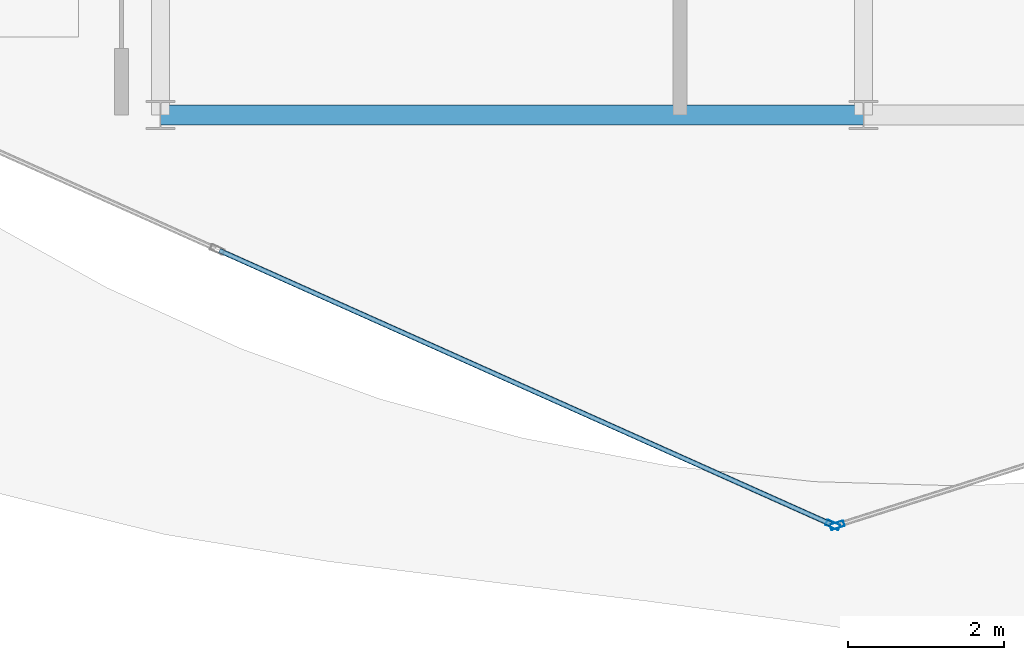
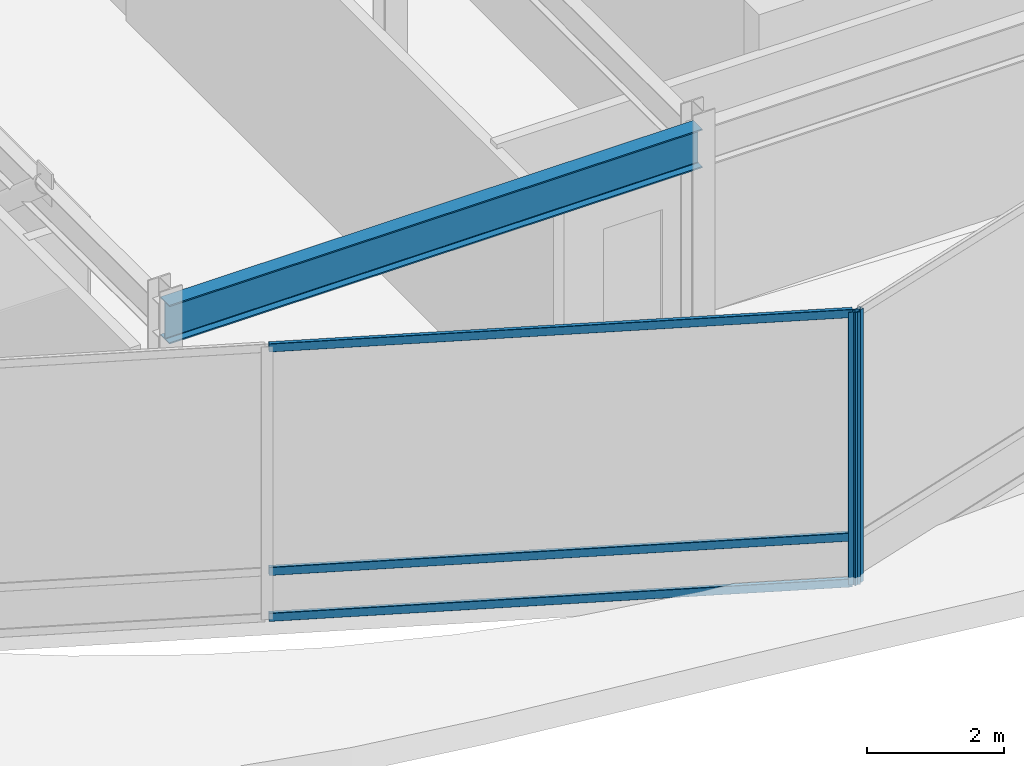
# One storey, part 3 of 21: 5 members, 1 beam, 2 elements without a shape of their own.
"""IFC4 building model written with IfcOpenShell, lengths in metres."""

from ifc_helpers import new_model, si_unit, direction, frame, origin, origin_2d, place, context, subcontext, project, spatial, hollow_rectangle, i_section, extrude, material, layer, layer_set, material_profile, profile_set, type_object, element, aggregate, save


model = new_model("IFC4")

# Units and contexts
model_context = context("Model", 3, precision=1e-05, world=origin(), true_north=direction((0.0, 1.0)))
body_context = subcontext(model_context, "Body", "Model", "MODEL_VIEW")
ifc_project = project(units=[si_unit("LENGTHUNIT", "METRE"), si_unit("AREAUNIT", "SQUARE_METRE"), si_unit("VOLUMEUNIT", "CUBIC_METRE"), si_unit("PLANEANGLEUNIT", "RADIAN"), si_unit("MASSUNIT", "GRAM", prefix="KILO")], contexts=[model_context])

# Site, building, storey
site_placement = place(None, origin())
site = spatial("IfcSite", under=ifc_project, at=site_placement, CompositionType="ELEMENT")
building_placement = place(site_placement, origin())
building = spatial("IfcBuilding", under=site, at=building_placement, Name="Solvaryn Broadcast Tower", CompositionType="ELEMENT")
storey_placement = place(building_placement, frame((0.0, 0.0, 297.39990234375)))
storey = spatial("IfcBuildingStorey", under=building, at=storey_placement, Name="L75", CompositionType="ELEMENT", Elevation=297.39990234375)

# Beam
ifc_material_1 = material(Name="Steel ASTM A992 Grade 50", Category="steel")
ifc_material_profile_1 = material_profile(ifc_material_1, i_section(OverallWidth=0.256103515625, OverallDepth=0.693115234375, WebThickness=0.014404296875, FlangeThickness=0.023681640625, FilletRadius=0.01611328125, at=origin_2d()))
ifc_profile_set_1 = profile_set([ifc_material_profile_1], Name="Steel ASTM A992 Grade 50")
beam_type = type_object("IfcBeamType", Name="BM-SP3-W27X114", PredefinedType="USERDEFINED", material=ifc_profile_set_1)
beam_placement = place(storey_placement, frame((18.0, 9.0, 4.523681640625), z_axis=(1.0, 0.0, 0.0), x_axis=(0.0, 1.0, 0.0)))
element("IfcBeam", 1, at=beam_placement, inside=storey, type_object=beam_type, Name="L75 Spandrel Beam X (18-27 @ Y=9)", ObjectType="SPANDREL", PredefinedType="USERDEFINED", context=body_context, shape_type="SweptSolid", body=[
    extrude(i_section(OverallWidth=0.256103515625, OverallDepth=0.693115234375, WebThickness=0.014404296875, FlangeThickness=0.023681640625, FilletRadius=0.01611328125, at=origin_2d()), origin(), (0.0, 0.0, 1.0), 9.0),
])

# Curtain wall, member
ifc_material_2 = material(Name="Aluminium and Terracotta Unitised Curtain Wall", Category="masonry")
ifc_layer = layer(ifc_material_2, 0.260009765625)
ifc_layer_set = layer_set([ifc_layer], Name="CW-SYS5-DAMPER")
curtain_wall_type = type_object("IfcCurtainWallType", Name="CW-SYS5-DAMPER", PredefinedType="NOTDEFINED", material=ifc_layer_set)
curtain_wall_1_placement = place(storey_placement, origin())
curtain_wall_1 = element("IfcCurtainWall", 2, at=curtain_wall_1_placement, inside=storey, type_object=curtain_wall_type, Name="L75 Curtain Wall DR3", PredefinedType="NOTDEFINED")
ifc_material_3 = material(Name="Anodised Aluminium 6063-T6", Category="aluminium")
ifc_material_profile_2 = material_profile(ifc_material_3, hollow_rectangle(XDim=0.074951171875, YDim=0.179931640625, WallThickness=0.00390625, InnerFilletRadius=0.00390625, OuterFilletRadius=0.008056640625, at=origin_2d()))
ifc_profile_set_2 = profile_set([ifc_material_profile_2], Name="Anodised Aluminium 6063-T6")
member_type_1 = type_object("IfcMemberType", Name="CW-MUL-180", PredefinedType="MULLION", material=ifc_profile_set_2)
member_1_placement = place(storey_placement, frame((26.608642578125, 3.750244140625, 0.0), z_axis=(0.0, 0.0, 1.0), x_axis=(0.408466010682, 0.912773530574, 0.0)))
member_1 = element("IfcMember", 3, at=member_1_placement, type_object=member_type_1, Name="CWS5 mullion 3", PredefinedType="MULLION", context=body_context, shape_type="SweptSolid", body=[
    extrude(hollow_rectangle(XDim=0.074951171875, YDim=0.179931640625, WallThickness=0.00390625, InnerFilletRadius=0.00390625, OuterFilletRadius=0.008056640625, at=origin_2d()), origin(), (0.0, 0.0, 1.0), 4.8701171875),
])

curtain_wall_2_placement = place(storey_placement, origin())
curtain_wall_2 = element("IfcCurtainWall", 4, at=curtain_wall_2_placement, inside=storey, type_object=curtain_wall_type, Name="L75 Curtain Wall DR4", PredefinedType="NOTDEFINED")
member_2_placement = place(storey_placement, frame((26.66455078125, 3.7470703125, 0.0), z_axis=(0.0, 0.0, 1.0), x_axis=(-0.30361564569, 0.952794594701, 0.0)))
member_2 = element("IfcMember", 5, at=member_2_placement, type_object=member_type_1, Name="CWS5 mullion 1", PredefinedType="MULLION", context=body_context, shape_type="SweptSolid", body=[
    extrude(hollow_rectangle(XDim=0.074951171875, YDim=0.179931640625, WallThickness=0.00390625, InnerFilletRadius=0.00390625, OuterFilletRadius=0.008056640625, at=origin_2d()), origin(), (0.0, 0.0, 1.0), 4.8701171875),
])
aggregate(curtain_wall_2, [member_2])

# Member
ifc_material_4 = material(Name="Anodised Aluminium 6063-T6", Category="aluminium")
ifc_material_profile_3 = material_profile(ifc_material_4, hollow_rectangle(XDim=0.06494140625, YDim=0.14990234375, WallThickness=0.00390625, InnerFilletRadius=0.00390625, OuterFilletRadius=0.008056640625, at=origin_2d()))
ifc_profile_set_3 = profile_set([ifc_material_profile_3], Name="Anodised Aluminium 6063-T6")
member_type_2 = type_object("IfcMemberType", Name="CW-TRN-150", PredefinedType="USERDEFINED", material=ifc_profile_set_3)
member_3_placement = place(storey_placement, frame((18.75390625, 7.26513671875, 0.030029296875), z_axis=(0.91277663463, -0.408459074172, 0.0), x_axis=(0.408459074172, 0.91277663463, 0.0)))
member_3 = element("IfcMember", 6, at=member_3_placement, type_object=member_type_2, Name="CWS5 transom 2.1", ObjectType="TRANSOM", PredefinedType="USERDEFINED", context=body_context, shape_type="SweptSolid", body=[
    extrude(hollow_rectangle(XDim=0.06494140625, YDim=0.14990234375, WallThickness=0.00390625, InnerFilletRadius=0.00390625, OuterFilletRadius=0.008056640625, at=origin_2d()), origin(), (0.0, 0.0, 1.0), 8.575439453125),
])

member_4_placement = place(storey_placement, frame((18.75390625, 7.26513671875, 0.85009765625), z_axis=(0.91277663463, -0.408459074172, 0.0), x_axis=(0.408459074172, 0.91277663463, 0.0)))
member_4 = element("IfcMember", 7, at=member_4_placement, type_object=member_type_2, Name="CWS5 transom 2.2", ObjectType="TRANSOM", PredefinedType="USERDEFINED", context=body_context, shape_type="SweptSolid", body=[
    extrude(hollow_rectangle(XDim=0.06494140625, YDim=0.14990234375, WallThickness=0.00390625, InnerFilletRadius=0.00390625, OuterFilletRadius=0.008056640625, at=origin_2d()), origin(), (0.0, 0.0, 1.0), 8.575439453125),
])

member_5_placement = place(storey_placement, frame((18.75390625, 7.26513671875, 4.840087890625), z_axis=(0.91277663463, -0.408459074172, 0.0), x_axis=(0.408459074172, 0.91277663463, 0.0)))
member_5 = element("IfcMember", 8, at=member_5_placement, type_object=member_type_2, Name="CWS5 transom 2.3", ObjectType="TRANSOM", PredefinedType="USERDEFINED", context=body_context, shape_type="SweptSolid", body=[
    extrude(hollow_rectangle(XDim=0.06494140625, YDim=0.14990234375, WallThickness=0.00390625, InnerFilletRadius=0.00390625, OuterFilletRadius=0.008056640625, at=origin_2d()), origin(), (0.0, 0.0, 1.0), 8.575439453125),
])

aggregate(curtain_wall_1, [member_1, member_3, member_4, member_5])

save(model, "model.ifc")
